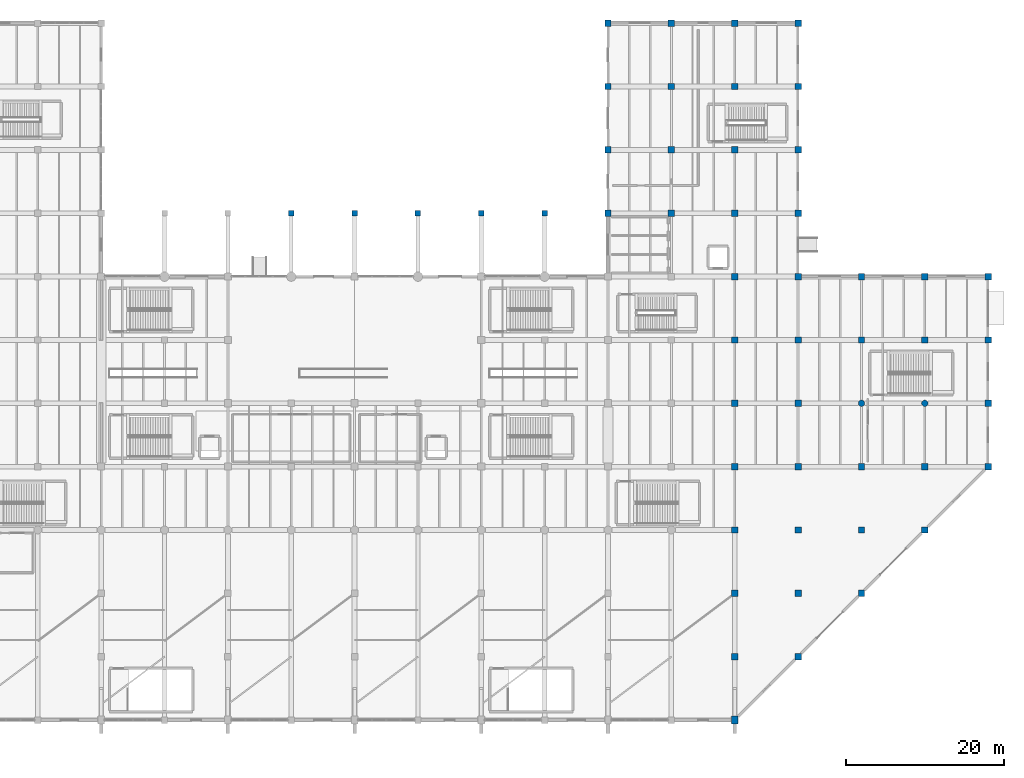
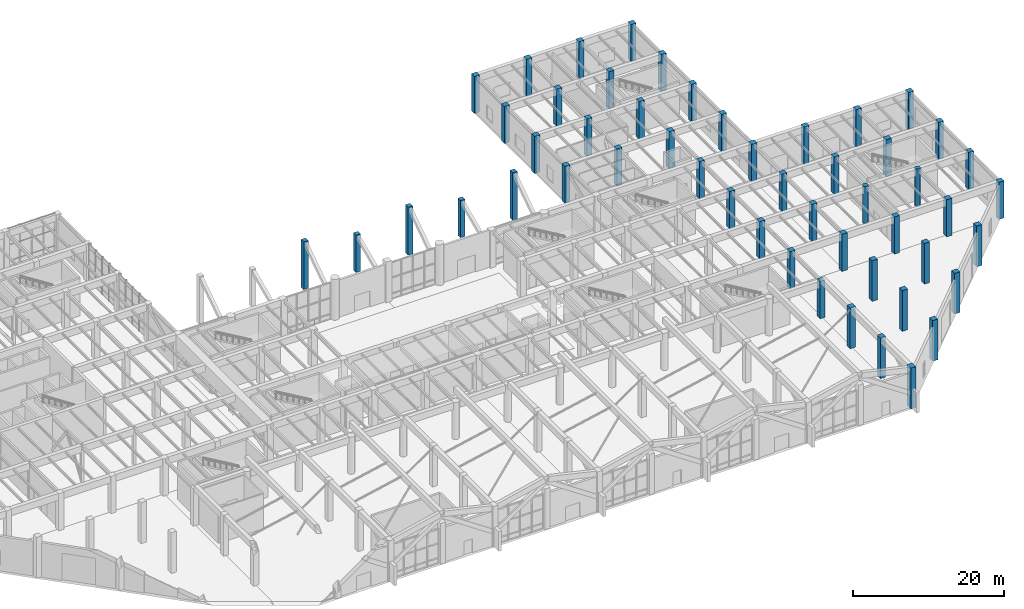
# One storey, part 5 of 51: 51 columns.
"""IFC4 building model written with IfcOpenShell, lengths in metres."""

from ifc_helpers import new_model, si_unit, direction, frame, origin, origin_2d, place, context, subcontext, project, spatial, rectangle, circle, extrude, material, material_profile, profile_set, type_object, element, save


model = new_model("IFC4")

# Units and contexts
model_context = context("Model", 3, precision=1e-05, world=origin(), true_north=direction((0.0, 1.0)))
body_context = subcontext(model_context, "Body", "Model", "MODEL_VIEW")
ifc_project = project(units=[si_unit("LENGTHUNIT", "METRE"), si_unit("AREAUNIT", "SQUARE_METRE"), si_unit("VOLUMEUNIT", "CUBIC_METRE"), si_unit("PLANEANGLEUNIT", "RADIAN"), si_unit("MASSUNIT", "GRAM", prefix="KILO")], contexts=[model_context])

# Site, building, storey
site_placement = place(None, origin())
site = spatial("IfcSite", under=ifc_project, at=site_placement, CompositionType="ELEMENT")
building_placement = place(site_placement, origin())
building = spatial("IfcBuilding", under=site, at=building_placement, Name="Varnela Railside Interchange", CompositionType="ELEMENT")
storey_placement = place(building_placement, origin())
storey = spatial("IfcBuildingStorey", under=building, at=storey_placement, Name="L00", CompositionType="ELEMENT", Elevation=0.0)

# Columns
ifc_material = material(Name="Concrete C50", Category="concrete")
ifc_material_profile_1 = material_profile(ifc_material, rectangle(XDim=0.800048828125, YDim=1.0, at=origin_2d()), Name="RC 800x1000")
ifc_profile_set_1 = profile_set([ifc_material_profile_1], Name="Concrete C50")
column_type_1 = type_object("IfcColumnType", Name="Bus Canopy Pier Column C-04", PredefinedType="COLUMN", material=ifc_profile_set_1)
column_1_placement = place(storey_placement, frame((132.0, 6.0, 0.0), z_axis=(0.0, 0.0, 1.0), x_axis=(1.0, 0.0, 0.0)))
element("IfcColumn", 1, at=column_1_placement, inside=storey, type_object=column_type_1, Name="Column C-04 (L00) (CL-0448)", PredefinedType="COLUMN", context=body_context, shape_type="SweptSolid", body=[
    extrude(rectangle(XDim=0.800048828125, YDim=1.0, at=origin_2d()), origin(), (0.0, 0.0, 1.0), 6.60009765625),
])
ifc_material_profile_2 = material_profile(ifc_material, circle(Radius=0.39990234375, at=origin_2d()), Name="CIRC D800")
ifc_profile_set_2 = profile_set([ifc_material_profile_2], Name="Concrete C50")
column_type_2 = type_object("IfcColumnType", Name="Cycle Hub Round Column C-11", PredefinedType="COLUMN", material=ifc_profile_set_2)
for number, where, z_axis, x_axis, name in (
    (2, (148.0, 46.0, 0.0), (0.0, 0.0, 1.0), (1.0, 0.0, 0.0), "Column C-11 (L00) (CL-0474)"),
    (3, (156.0, 46.0, 0.0), (0.0, 0.0, 1.0), (1.0, 0.0, 0.0), "Column C-11 (L00) (CL-0487)"),
):
    element("IfcColumn", number, at=place(storey_placement, frame(where, z_axis=z_axis, x_axis=x_axis)), inside=storey, type_object=column_type_2, Name=name, PredefinedType="COLUMN", context=body_context, shape_type="SweptSolid", body=[
        extrude(circle(Radius=0.39990234375, at=origin_2d()), origin(), (0.0, 0.0, 1.0), 6.02001953125),
    ])
ifc_material_profile_3 = material_profile(ifc_material, rectangle(XDim=0.800048828125, YDim=0.800048828125, at=origin_2d()), Name="RC 800x800")
ifc_profile_set_3 = profile_set([ifc_material_profile_3], Name="Concrete C50")
column_type_3 = type_object("IfcColumnType", Name="Podium Concourse Column C-03", PredefinedType="COLUMN", material=ifc_profile_set_3)
for number, where, z_axis, x_axis, name in (
    (4, (116.0, 70.0, 0.0), (0.0, 0.0, 1.0), (1.0, 0.0, 0.0), "Column C-03 (L00) (CL-0434)"),
    (5, (116.0, 78.0, 0.0), (0.0, 0.0, 1.0), (1.0, 0.0, 0.0), "Column C-03 (L00) (CL-0435)"),
    (6, (116.0, 86.0, 0.0), (0.0, 0.0, 1.0), (1.0, 0.0, 0.0), "Column C-03 (L00) (CL-0436)"),
    (7, (116.0, 94.0, 0.0), (0.0, 0.0, 1.0), (1.0, 0.0, 0.0), "Column C-03 (L00) (CL-0437)"),
    (8, (124.0, 70.0, 0.0), (0.0, 0.0, 1.0), (1.0, 0.0, 0.0), "Column C-03 (L00) (CL-0444)"),
    (9, (124.0, 78.0, 0.0), (0.0, 0.0, 1.0), (1.0, 0.0, 0.0), "Column C-03 (L00) (CL-0445)"),
    (10, (124.0, 86.0, 0.0), (0.0, 0.0, 1.0), (1.0, 0.0, 0.0), "Column C-03 (L00) (CL-0446)"),
    (11, (124.0, 94.0, 0.0), (0.0, 0.0, 1.0), (1.0, 0.0, 0.0), "Column C-03 (L00) (CL-0447)"),
):
    element("IfcColumn", number, at=place(storey_placement, frame(where, z_axis=z_axis, x_axis=x_axis)), inside=storey, type_object=column_type_3, Name=name, PredefinedType="COLUMN", context=body_context, shape_type="SweptSolid", body=[
        extrude(rectangle(XDim=0.800048828125, YDim=0.800048828125, at=origin_2d()), origin(), (0.0, 0.0, 1.0), 6.02001953125),
    ])
for number, where, z_axis, x_axis, name in (
    (12, (132.0, 14.0, 0.0), (0.0, 0.0, 1.0), (1.0, 0.0, 0.0), "Column C-03 (L00) (CL-0449)"),
    (13, (132.0, 22.0, 0.0), (0.0, 0.0, 1.0), (1.0, 0.0, 0.0), "Column C-03 (L00) (CL-0450)"),
):
    element("IfcColumn", number, at=place(storey_placement, frame(where, z_axis=z_axis, x_axis=x_axis)), inside=storey, type_object=column_type_3, Name=name, PredefinedType="COLUMN", context=body_context, shape_type="SweptSolid", body=[
        extrude(rectangle(XDim=0.800048828125, YDim=0.800048828125, at=origin_2d()), origin(), (0.0, 0.0, 1.0), 6.60009765625),
    ])
for number, where, z_axis, x_axis, name in (
    (14, (132.0, 30.0, 0.0), (0.0, 0.0, 1.0), (1.0, 0.0, 0.0), "Column C-03 (L00) (CL-0451)"),
    (15, (132.0, 38.0, 0.0), (0.0, 0.0, 1.0), (1.0, 0.0, 0.0), "Column C-03 (L00) (CL-0452)"),
    (16, (132.0, 46.0, 0.0), (0.0, 0.0, 1.0), (1.0, 0.0, 0.0), "Column C-03 (L00) (CL-0453)"),
    (17, (132.0, 54.0, 0.0), (0.0, 0.0, 1.0), (1.0, 0.0, 0.0), "Column C-03 (L00) (CL-0454)"),
    (18, (132.0, 62.0, 0.0), (0.0, 0.0, 1.0), (1.0, 0.0, 0.0), "Column C-03 (L00) (CL-0455)"),
    (19, (132.0, 70.0, 0.0), (0.0, 0.0, 1.0), (1.0, 0.0, 0.0), "Column C-03 (L00) (CL-0456)"),
    (20, (132.0, 78.0, 0.0), (0.0, 0.0, 1.0), (1.0, 0.0, 0.0), "Column C-03 (L00) (CL-0457)"),
    (21, (132.0, 86.0, 0.0), (0.0, 0.0, 1.0), (1.0, 0.0, 0.0), "Column C-03 (L00) (CL-0458)"),
    (22, (132.0, 94.0, 0.0), (0.0, 0.0, 1.0), (1.0, 0.0, 0.0), "Column C-03 (L00) (CL-0459)"),
):
    element("IfcColumn", number, at=place(storey_placement, frame(where, z_axis=z_axis, x_axis=x_axis)), inside=storey, type_object=column_type_3, Name=name, PredefinedType="COLUMN", context=body_context, shape_type="SweptSolid", body=[
        extrude(rectangle(XDim=0.800048828125, YDim=0.800048828125, at=origin_2d()), origin(), (0.0, 0.0, 1.0), 6.02001953125),
    ])
for number, where, z_axis, x_axis, name in (
    (23, (140.0, 14.0, 0.0), (0.0, 0.0, 1.0), (1.0, 0.0, 0.0), "Column C-03 (L00) (CL-0460)"),
    (24, (140.0, 22.0, 0.0), (0.0, 0.0, 1.0), (1.0, 0.0, 0.0), "Column C-03 (L00) (CL-0461)"),
    (25, (140.0, 30.0, 0.0), (0.0, 0.0, 1.0), (1.0, 0.0, 0.0), "Column C-03 (L00) (CL-0462)"),
):
    element("IfcColumn", number, at=place(storey_placement, frame(where, z_axis=z_axis, x_axis=x_axis)), inside=storey, type_object=column_type_3, Name=name, PredefinedType="COLUMN", context=body_context, shape_type="SweptSolid", body=[
        extrude(rectangle(XDim=0.800048828125, YDim=0.800048828125, at=origin_2d()), origin(), (0.0, 0.0, 1.0), 6.60009765625),
    ])
for number, where, z_axis, x_axis, name in (
    (26, (140.0, 38.0, 0.0), (0.0, 0.0, 1.0), (1.0, 0.0, 0.0), "Column C-03 (L00) (CL-0463)"),
    (27, (140.0, 46.0, 0.0), (0.0, 0.0, 1.0), (1.0, 0.0, 0.0), "Column C-03 (L00) (CL-0464)"),
    (28, (140.0, 54.0, 0.0), (0.0, 0.0, 1.0), (1.0, 0.0, 0.0), "Column C-03 (L00) (CL-0465)"),
    (29, (140.0, 62.0, 0.0), (0.0, 0.0, 1.0), (1.0, 0.0, 0.0), "Column C-03 (L00) (CL-0466)"),
    (30, (140.0, 70.0, 0.0), (0.0, 0.0, 1.0), (1.0, 0.0, 0.0), "Column C-03 (L00) (CL-0467)"),
    (31, (140.0, 78.0, 0.0), (0.0, 0.0, 1.0), (1.0, 0.0, 0.0), "Column C-03 (L00) (CL-0468)"),
    (32, (140.0, 86.0, 0.0), (0.0, 0.0, 1.0), (1.0, 0.0, 0.0), "Column C-03 (L00) (CL-0469)"),
    (33, (140.0, 94.0, 0.0), (0.0, 0.0, 1.0), (1.0, 0.0, 0.0), "Column C-03 (L00) (CL-0470)"),
):
    element("IfcColumn", number, at=place(storey_placement, frame(where, z_axis=z_axis, x_axis=x_axis)), inside=storey, type_object=column_type_3, Name=name, PredefinedType="COLUMN", context=body_context, shape_type="SweptSolid", body=[
        extrude(rectangle(XDim=0.800048828125, YDim=0.800048828125, at=origin_2d()), origin(), (0.0, 0.0, 1.0), 6.02001953125),
    ])
for number, where, z_axis, x_axis, name in (
    (34, (148.0, 22.0, 0.0), (0.0, 0.0, 1.0), (1.0, 0.0, 0.0), "Column C-03 (L00) (CL-0471)"),
    (35, (148.0, 30.0, 0.0), (0.0, 0.0, 1.0), (1.0, 0.0, 0.0), "Column C-03 (L00) (CL-0472)"),
):
    element("IfcColumn", number, at=place(storey_placement, frame(where, z_axis=z_axis, x_axis=x_axis)), inside=storey, type_object=column_type_3, Name=name, PredefinedType="COLUMN", context=body_context, shape_type="SweptSolid", body=[
        extrude(rectangle(XDim=0.800048828125, YDim=0.800048828125, at=origin_2d()), origin(), (0.0, 0.0, 1.0), 6.60009765625),
    ])
for number, where, z_axis, x_axis, name in (
    (36, (148.0, 38.0, 0.0), (0.0, 0.0, 1.0), (1.0, 0.0, 0.0), "Column C-03 (L00) (CL-0473)"),
    (37, (148.0, 54.0, 0.0), (0.0, 0.0, 1.0), (1.0, 0.0, 0.0), "Column C-03 (L00) (CL-0475)"),
    (38, (148.0, 62.0, 0.0), (0.0, 0.0, 1.0), (1.0, 0.0, 0.0), "Column C-03 (L00) (CL-0476)"),
):
    element("IfcColumn", number, at=place(storey_placement, frame(where, z_axis=z_axis, x_axis=x_axis)), inside=storey, type_object=column_type_3, Name=name, PredefinedType="COLUMN", context=body_context, shape_type="SweptSolid", body=[
        extrude(rectangle(XDim=0.800048828125, YDim=0.800048828125, at=origin_2d()), origin(), (0.0, 0.0, 1.0), 6.02001953125),
    ])
column_2_placement = place(storey_placement, frame((156.0, 30.0, 0.0), z_axis=(0.0, 0.0, 1.0), x_axis=(1.0, 0.0, 0.0)))
element("IfcColumn", 39, at=column_2_placement, inside=storey, type_object=column_type_3, Name="Column C-03 (L00) (CL-0485)", PredefinedType="COLUMN", context=body_context, shape_type="SweptSolid", body=[
    extrude(rectangle(XDim=0.800048828125, YDim=0.800048828125, at=origin_2d()), origin(), (0.0, 0.0, 1.0), 6.60009765625),
])
for number, where, z_axis, x_axis, name in (
    (40, (156.0, 38.0, 0.0), (0.0, 0.0, 1.0), (1.0, 0.0, 0.0), "Column C-03 (L00) (CL-0486)"),
    (41, (156.0, 54.0, 0.0), (0.0, 0.0, 1.0), (1.0, 0.0, 0.0), "Column C-03 (L00) (CL-0488)"),
    (42, (156.0, 62.0, 0.0), (0.0, 0.0, 1.0), (1.0, 0.0, 0.0), "Column C-03 (L00) (CL-0489)"),
    (43, (164.0, 38.0, 0.0), (0.0, 0.0, 1.0), (1.0, 0.0, 0.0), "Column C-03 (L00) (CL-0490)"),
    (44, (164.0, 46.0, 0.0), (0.0, 0.0, 1.0), (1.0, 0.0, 0.0), "Column C-03 (L00) (CL-0491)"),
    (45, (164.0, 54.0, 0.0), (0.0, 0.0, 1.0), (1.0, 0.0, 0.0), "Column C-03 (L00) (CL-0492)"),
    (46, (164.0, 62.0, 0.0), (0.0, 0.0, 1.0), (1.0, 0.0, 0.0), "Column C-03 (L00) (CL-0493)"),
):
    element("IfcColumn", number, at=place(storey_placement, frame(where, z_axis=z_axis, x_axis=x_axis)), inside=storey, type_object=column_type_3, Name=name, PredefinedType="COLUMN", context=body_context, shape_type="SweptSolid", body=[
        extrude(rectangle(XDim=0.800048828125, YDim=0.800048828125, at=origin_2d()), origin(), (0.0, 0.0, 1.0), 6.02001953125),
    ])
ifc_material_profile_4 = material_profile(ifc_material, rectangle(XDim=0.699951171875, YDim=0.699951171875, at=origin_2d()), Name="RC 700x700")
ifc_profile_set_4 = profile_set([ifc_material_profile_4], Name="Concrete C50")
column_type_4 = type_object("IfcColumnType", Name="Podium Gallery Column C-02", PredefinedType="COLUMN", material=ifc_profile_set_4)
column_3_placement = place(storey_placement, frame((76.0, 70.0, 0.0), z_axis=(0.0, 0.0, 1.0), x_axis=(1.0, 0.0, 0.0)))
element("IfcColumn", 47, at=column_3_placement, inside=storey, type_object=column_type_4, Name="Column C-02 (L00) (CL-0570)", PredefinedType="COLUMN", context=body_context, shape_type="SweptSolid", body=[
    extrude(rectangle(XDim=0.699951171875, YDim=0.699951171875, at=origin_2d()), origin(), (0.0, 0.0, 1.0), 7.75),
])
column_4_placement = place(storey_placement, frame((84.0, 70.0, 0.0), z_axis=(0.0, 0.0, 1.0), x_axis=(1.0, 0.0, 0.0)))
element("IfcColumn", 48, at=column_4_placement, inside=storey, type_object=column_type_4, Name="Column C-02 (L00) (CL-0571)", PredefinedType="COLUMN", context=body_context, shape_type="SweptSolid", body=[
    extrude(rectangle(XDim=0.699951171875, YDim=0.699951171875, at=origin_2d()), origin(), (0.0, 0.0, 1.0), 6.02001953125),
])
column_5_placement = place(storey_placement, frame((92.0, 70.0, 0.0), z_axis=(0.0, 0.0, 1.0), x_axis=(1.0, 0.0, 0.0)))
element("IfcColumn", 49, at=column_5_placement, inside=storey, type_object=column_type_4, Name="Column C-02 (L00) (CL-0572)", PredefinedType="COLUMN", context=body_context, shape_type="SweptSolid", body=[
    extrude(rectangle(XDim=0.699951171875, YDim=0.699951171875, at=origin_2d()), origin(), (0.0, 0.0, 1.0), 7.75),
])
column_6_placement = place(storey_placement, frame((100.0, 70.0, 0.0), z_axis=(0.0, 0.0, 1.0), x_axis=(1.0, 0.0, 0.0)))
element("IfcColumn", 50, at=column_6_placement, inside=storey, type_object=column_type_4, Name="Column C-02 (L00) (CL-0573)", PredefinedType="COLUMN", context=body_context, shape_type="SweptSolid", body=[
    extrude(rectangle(XDim=0.699951171875, YDim=0.699951171875, at=origin_2d()), origin(), (0.0, 0.0, 1.0), 6.02001953125),
])
column_7_placement = place(storey_placement, frame((108.0, 70.0, 0.0), z_axis=(0.0, 0.0, 1.0), x_axis=(1.0, 0.0, 0.0)))
element("IfcColumn", 51, at=column_7_placement, inside=storey, type_object=column_type_4, Name="Column C-02 (L00) (CL-0574)", PredefinedType="COLUMN", context=body_context, shape_type="SweptSolid", body=[
    extrude(rectangle(XDim=0.699951171875, YDim=0.699951171875, at=origin_2d()), origin(), (0.0, 0.0, 1.0), 7.75),
])

save(model, "model.ifc")
